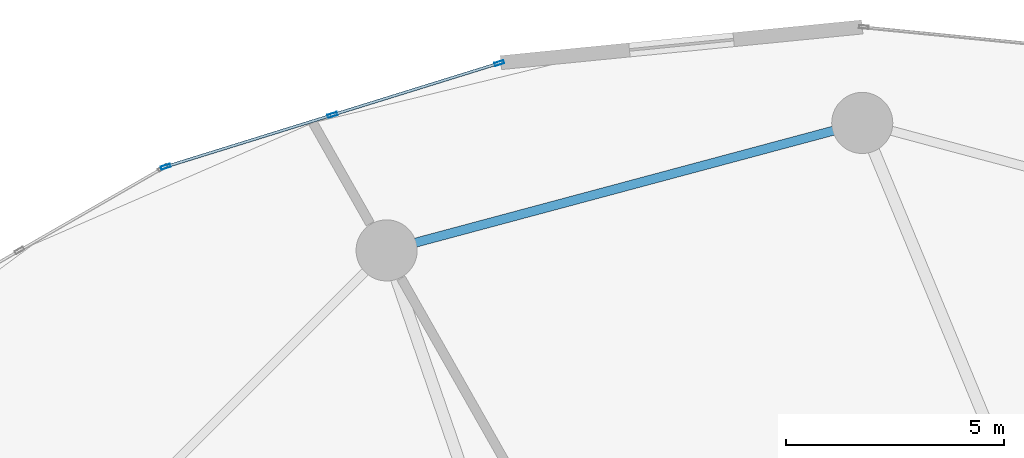
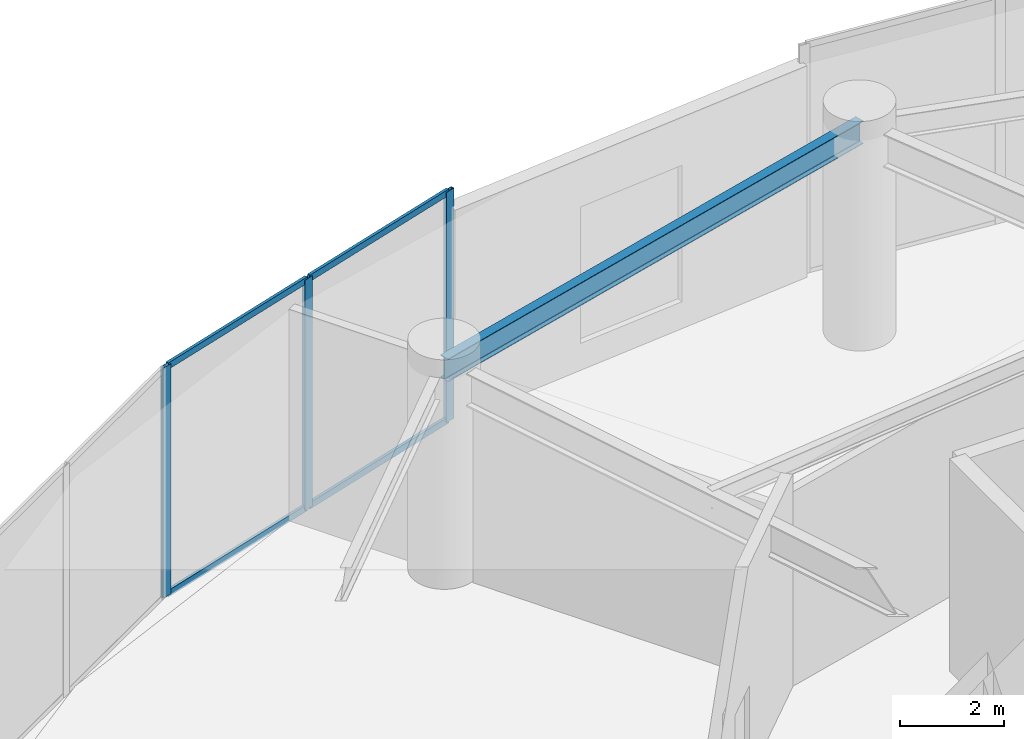
# One storey, part 16 of 29: 7 members, 1 beam, 1 element without a shape of its own.
"""IFC4 building model written with IfcOpenShell, lengths in metres."""

from ifc_helpers import new_model, si_unit, direction, frame, origin, origin_2d, place, context, subcontext, project, spatial, hollow_rectangle, i_section, extrude, source, transform, mapped, material, layer, layer_set, material_profile, profile_set, type_object, element, aggregate, save


model = new_model("IFC4")

# Units and contexts
model_context = context("Model", 3, precision=1e-05, world=origin(), true_north=direction((0.0, 1.0)))
body_context = subcontext(model_context, "Body", "Model", "MODEL_VIEW")
ifc_project = project(units=[si_unit("LENGTHUNIT", "METRE"), si_unit("AREAUNIT", "SQUARE_METRE"), si_unit("VOLUMEUNIT", "CUBIC_METRE"), si_unit("PLANEANGLEUNIT", "RADIAN"), si_unit("MASSUNIT", "GRAM", prefix="KILO")], contexts=[model_context])

# Site, building, storey
site_placement = place(None, origin())
site = spatial("IfcSite", under=ifc_project, at=site_placement, CompositionType="ELEMENT")
building_placement = place(site_placement, origin())
building = spatial("IfcBuilding", under=site, at=building_placement, Name="Solvirekh Grand Hotel", CompositionType="ELEMENT")
storey_placement = place(building_placement, frame((0.0, 0.0, 7.199951171875)))
storey = spatial("IfcBuildingStorey", under=building, at=storey_placement, Name="L01", CompositionType="ELEMENT", Elevation=7.199951171875)

# Beam
ifc_material_1 = material(Name="Steel S355", Category="steel")
ifc_material_profile_1 = material_profile(ifc_material_1, i_section(OverallWidth=0.208984375, OverallDepth=0.532958984375, WebThickness=0.010009765625, FlangeThickness=0.014892578125, FilletRadius=0.013916015625, at=origin_2d()), Name="W530X92")
ifc_profile_set_1 = profile_set([ifc_material_profile_1], Name="Steel S355")
beam_type = type_object("IfcBeamType", Name="Spandrel_Ring_W530", PredefinedType="SPANDREL", material=ifc_profile_set_1)
beam_placement = place(storey_placement, frame((0.0, 21.800048828125, 4.713134765625), z_axis=(-0.965914248703, -0.258862249378, 0.0), x_axis=(0.258862249378, -0.965914248703, 0.0)))
element("IfcBeam", 1, at=beam_placement, inside=storey, type_object=beam_type, Name="L01 perimeter spandrel beam 4", PredefinedType="SPANDREL", context=body_context, shape_type="SweptSolid", body=[
    extrude(i_section(OverallWidth=0.208984375, OverallDepth=0.532958984375, WebThickness=0.010009765625, FlangeThickness=0.014892578125, FilletRadius=0.013916015625, at=origin_2d()), origin(), (0.0, 0.0, 1.0), 11.284423828125),
])

# Curtain wall, members
ifc_material_2 = material(Name="Anodized Bronze Aluminium 6063-T6", Category="aluminium")
ifc_layer = layer(ifc_material_2, 0.219970703125)
ifc_layer_set = layer_set([ifc_layer], Name="Anodized Bronze Aluminium 6063-T6")
curtain_wall_type = type_object("IfcCurtainWallType", Name="CW_Sys1_PodiumBronzeUnitised", PredefinedType="NOTDEFINED", material=ifc_layer_set)
curtain_wall_placement = place(storey_placement, origin())
curtain_wall = element("IfcCurtainWall", 2, at=curtain_wall_placement, inside=storey, type_object=curtain_wall_type, Name="L01 unitised bronze-glass curtain wall CW-L01-C08", PredefinedType="NOTDEFINED")
ifc_material_profile_2 = material_profile(ifc_material_2, hollow_rectangle(XDim=0.074951171875, YDim=0.219970703125, WallThickness=0.006103515625, at=origin_2d()), Name="ALU RHS 220X75X6")
ifc_profile_set_2 = profile_set([ifc_material_profile_2], Name="Anodized Bronze Aluminium 6063-T6")
member_type_1 = type_object("IfcMemberType", Name="CWMullion_Sys1", PredefinedType="MULLION", material=ifc_profile_set_2)
shared_shape_1 = source(origin(), body_context, "Body", "SweptSolid", [
    extrude(hollow_rectangle(XDim=0.074951171875, YDim=0.219970703125, WallThickness=0.006103515625, at=origin_2d()), origin(), (0.0, 0.0, 1.0), 5.400146484375),
])
member_1_placement = place(storey_placement, frame((-8.31787109375, 23.1708984375, 0.0), z_axis=(0.0, 0.0, 1.0), x_axis=(0.296597697719, -0.955002516074, 0.0)))
member_1 = element("IfcMember", 3, at=member_1_placement, type_object=member_type_1, Name="U01 mullion 1", PredefinedType="MULLION", context=body_context, shape_type="MappedRepresentation", body=[
    mapped(shared_shape_1, transform((0.0, 0.0, 0.0), x_axis=(1.0, 0.0, 0.0), y_axis=(0.0, 1.0, 0.0), z_axis=(0.0, 0.0, 1.0), scale=1.0)),
])
member_2_placement = place(storey_placement, frame((-12.14111328125, 21.9833984375, 0.0), z_axis=(0.0, 0.0, 1.0), x_axis=(0.296597697719, -0.955002516074, 0.0)))
member_2 = element("IfcMember", 4, at=member_2_placement, type_object=member_type_1, Name="U01 mullion 2", PredefinedType="MULLION", context=body_context, shape_type="MappedRepresentation", body=[
    mapped(shared_shape_1, transform((0.0, 0.0, 0.0), x_axis=(1.0, 0.0, 0.0), y_axis=(0.0, 1.0, 0.0), z_axis=(0.0, 0.0, 1.0), scale=1.0)),
])
member_3_placement = place(storey_placement, frame((-15.964111328125, 20.796142578125, 0.0), z_axis=(0.0, 0.0, 1.0), x_axis=(0.296597697719, -0.955002516074, 0.0)))
member_3 = element("IfcMember", 5, at=member_3_placement, type_object=member_type_1, Name="U01 mullion 3", PredefinedType="MULLION", context=body_context, shape_type="MappedRepresentation", body=[
    mapped(shared_shape_1, transform((0.0, 0.0, 0.0), x_axis=(1.0, 0.0, 0.0), y_axis=(0.0, 1.0, 0.0), z_axis=(0.0, 0.0, 1.0), scale=1.0)),
])
ifc_material_profile_3 = material_profile(ifc_material_2, hollow_rectangle(XDim=0.06494140625, YDim=0.14990234375, WallThickness=0.0048828125, at=origin_2d()), Name="ALU RHS 150X65X5")
ifc_profile_set_3 = profile_set([ifc_material_profile_3], Name="Anodized Bronze Aluminium 6063-T6")
member_type_2 = type_object("IfcMemberType", Name="CWTransom_Sys1", PredefinedType="USERDEFINED", material=ifc_profile_set_3)
shared_shape_2 = source(origin(), body_context, "Body", "SweptSolid", [
    extrude(hollow_rectangle(XDim=0.06494140625, YDim=0.14990234375, WallThickness=0.0048828125, at=origin_2d()), origin(), (0.0, 0.0, 1.0), 3.928466796875),
])
member_4_placement = place(storey_placement, frame((-8.353515625, 23.15966796875, 0.032470703125), z_axis=(-0.955012557895, -0.296565362548, 0.0), x_axis=(0.296565362548, -0.955012557895, 0.0)))
member_4 = element("IfcMember", 6, at=member_4_placement, type_object=member_type_2, Name="U01 transom 1.1", ObjectType="TRANSOM", PredefinedType="USERDEFINED", context=body_context, shape_type="MappedRepresentation", body=[
    mapped(shared_shape_2, transform((0.0, 0.0, 0.0), x_axis=(1.0, 0.0, 0.0), y_axis=(0.0, 1.0, 0.0), z_axis=(0.0, 0.0, 1.0), scale=1.0)),
])
member_5_placement = place(storey_placement, frame((-8.353515625, 23.15966796875, 5.367431640625), z_axis=(-0.955012557895, -0.296565362548, 0.0), x_axis=(0.296565362548, -0.955012557895, 0.0)))
member_5 = element("IfcMember", 7, at=member_5_placement, type_object=member_type_2, Name="U01 transom 1.2", ObjectType="TRANSOM", PredefinedType="USERDEFINED", context=body_context, shape_type="MappedRepresentation", body=[
    mapped(shared_shape_2, transform((0.0, 0.0, 0.0), x_axis=(1.0, 0.0, 0.0), y_axis=(0.0, 1.0, 0.0), z_axis=(0.0, 0.0, 1.0), scale=1.0)),
])
member_6_placement = place(storey_placement, frame((-12.1767578125, 21.972412109375, 0.032470703125), z_axis=(-0.954994955045, -0.296622042066, 0.0), x_axis=(0.296622042066, -0.954994955045, 0.0)))
member_6 = element("IfcMember", 8, at=member_6_placement, type_object=member_type_2, Name="U01 transom 2.1", ObjectType="TRANSOM", PredefinedType="USERDEFINED", context=body_context, shape_type="MappedRepresentation", body=[
    mapped(shared_shape_2, transform((0.0, 0.0, 0.0), x_axis=(1.0, 0.0, 0.0), y_axis=(0.0, 1.0, 0.0), z_axis=(0.0, 0.0, 1.0), scale=1.0)),
])
member_7_placement = place(storey_placement, frame((-12.1767578125, 21.972412109375, 5.367431640625), z_axis=(-0.954994955045, -0.296622042066, 0.0), x_axis=(0.296622042066, -0.954994955045, 0.0)))
member_7 = element("IfcMember", 9, at=member_7_placement, type_object=member_type_2, Name="U01 transom 2.2", ObjectType="TRANSOM", PredefinedType="USERDEFINED", context=body_context, shape_type="MappedRepresentation", body=[
    mapped(shared_shape_2, transform((0.0, 0.0, 0.0), x_axis=(1.0, 0.0, 0.0), y_axis=(0.0, 1.0, 0.0), z_axis=(0.0, 0.0, 1.0), scale=1.0)),
])
aggregate(curtain_wall, [member_1, member_2, member_3, member_4, member_5, member_6, member_7])

save(model, "model.ifc")
